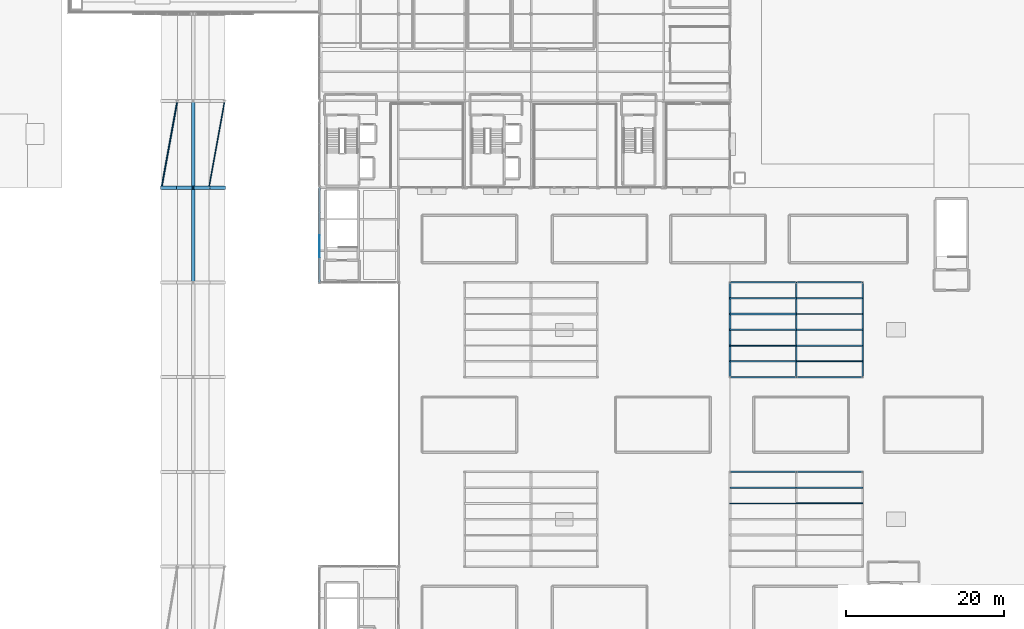
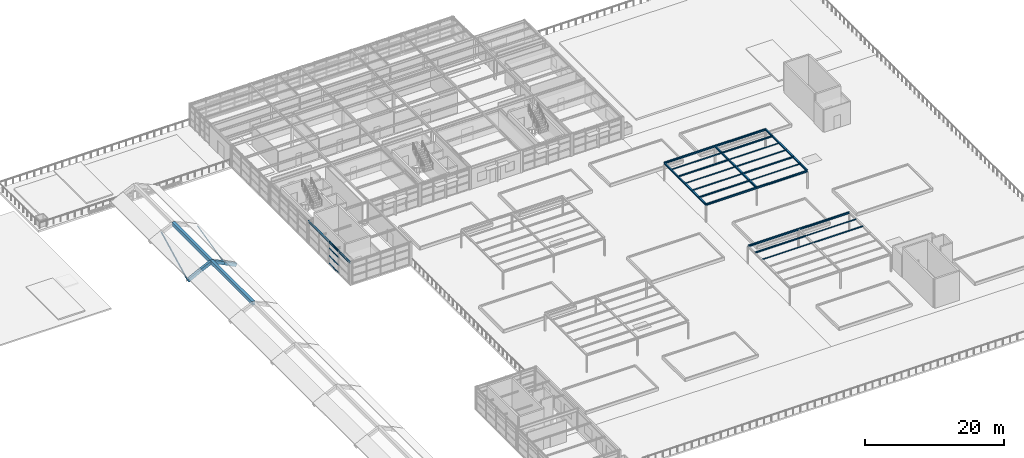
# One storey, part 20 of 49: 20 members, 16 beams, 1 element without a shape of its own.
"""IFC4 building model written with IfcOpenShell, lengths in metres."""

from ifc_helpers import new_model, si_unit, direction, frame, origin, origin_2d, place, context, subcontext, project, spatial, rectangle, hollow_rectangle, hollow_circle, i_section, extrude, material, layer, layer_set, material_profile, profile_set, type_object, element, aggregate, save


model = new_model("IFC4")

# Units and contexts
model_context = context("Model", 3, precision=1e-05, world=origin(), true_north=direction((0.0, 1.0)))
body_context = subcontext(model_context, "Body", "Model", "MODEL_VIEW")
ifc_project = project(units=[si_unit("LENGTHUNIT", "METRE"), si_unit("AREAUNIT", "SQUARE_METRE"), si_unit("VOLUMEUNIT", "CUBIC_METRE"), si_unit("PLANEANGLEUNIT", "RADIAN"), si_unit("MASSUNIT", "GRAM", prefix="KILO")], contexts=[model_context])

# Site, building, storey
site_placement = place(None, origin())
site = spatial("IfcSite", under=ifc_project, at=site_placement, CompositionType="ELEMENT")
building_placement = place(site_placement, origin())
building = spatial("IfcBuilding", under=site, at=building_placement, Name="Sitalva Quay Ferry Terminal", CompositionType="ELEMENT")
storey_placement = place(building_placement, frame((0.0, 0.0, 10.199951171875)))
storey = spatial("IfcBuildingStorey", under=building, at=storey_placement, Name="L03", CompositionType="ELEMENT", Elevation=10.199951171875)

# Beams
ifc_material_1 = material(Name="Concrete C40/50", Category="concrete")
ifc_material_profile_1 = material_profile(ifc_material_1, rectangle(XDim=0.39990234375, YDim=0.550048828125, at=origin_2d()), Name="RC400x550")
ifc_profile_set_1 = profile_set([ifc_material_profile_1], Name="Concrete C40/50")
beam_type_1 = type_object("IfcBeamType", Name="Beam_Arch_RC400x550", PredefinedType="BEAM", material=ifc_profile_set_1)
beam_1_placement = place(storey_placement, frame((54.0, 78.0, 0.395263671875), z_axis=(0.88942149916, 0.0, 0.457087953059), x_axis=(0.0, 1.0, 0.0)))
element("IfcBeam", 1, at=beam_1_placement, inside=storey, type_object=beam_type_1, Name="Vault V1 transverse arch rib 7.7", PredefinedType="BEAM", context=body_context, shape_type="SweptSolid", body=[
    extrude(rectangle(XDim=0.39990234375, YDim=0.550048828125, at=origin_2d()), origin(), (0.0, 0.0, 1.0), 2.24853515625),
])
for number, where, z_axis, x_axis, name in (
    (2, (56.0, 78.0, 1.4267578125), (0.908124785196, 0.0, 0.418699623253), (0.0, 1.0, 0.0), "Vault V1 transverse arch rib 7.8"),
    (3, (58.0, 78.0, 2.348876953125), (0.908124785196, 0.0, -0.418699623253), (0.0, 1.0, 0.0), "Vault V1 transverse arch rib 7.9"),
):
    element("IfcBeam", number, at=place(storey_placement, frame(where, z_axis=z_axis, x_axis=x_axis)), inside=storey, type_object=beam_type_1, Name=name, PredefinedType="BEAM", context=body_context, shape_type="SweptSolid", body=[
        extrude(rectangle(XDim=0.39990234375, YDim=0.550048828125, at=origin_2d()), origin(), (0.0, 0.0, 1.0), 2.202392578125),
    ])
beam_2_placement = place(storey_placement, frame((60.0, 78.0, 1.423095703125), z_axis=(0.88942149916, 0.0, -0.457087953059), x_axis=(0.0, 1.0, 0.0)))
element("IfcBeam", 4, at=beam_2_placement, inside=storey, type_object=beam_type_1, Name="Vault V1 transverse arch rib 7.10", PredefinedType="BEAM", context=body_context, shape_type="SweptSolid", body=[
    extrude(rectangle(XDim=0.39990234375, YDim=0.550048828125, at=origin_2d()), origin(), (0.0, 0.0, 1.0), 2.24853515625),
])
ifc_material_2 = material(Name="Concrete C40/50", Category="concrete")
ifc_material_profile_2 = material_profile(ifc_material_2, rectangle(XDim=0.449951171875, YDim=0.64990234375, at=origin_2d()), Name="RC450x650")
ifc_profile_set_2 = profile_set([ifc_material_profile_2], Name="Concrete C40/50")
beam_type_2 = type_object("IfcBeamType", Name="Beam_Ridge_RC450x650", PredefinedType="BEAM", material=ifc_profile_set_2)
beam_3_placement = place(storey_placement, frame((58.0, 66.0, 2.31494140625), z_axis=(0.0, 1.0, 0.0), x_axis=(-1.0, 0.0, 0.0)))
element("IfcBeam", 5, at=beam_3_placement, inside=storey, type_object=beam_type_2, Name="Vault V1 pointed ridge beam bay 6", PredefinedType="BEAM", context=body_context, shape_type="SweptSolid", body=[
    extrude(rectangle(XDim=0.449951171875, YDim=0.64990234375, at=origin_2d()), origin(), (0.0, 0.0, 1.0), 12.0),
])
beam_4_placement = place(storey_placement, frame((58.0, 78.0, 2.31494140625), z_axis=(0.0, 1.0, 0.0), x_axis=(-1.0, 0.0, 0.0)))
element("IfcBeam", 6, at=beam_4_placement, inside=storey, type_object=beam_type_2, Name="Vault V1 pointed ridge beam bay 7", PredefinedType="BEAM", context=body_context, shape_type="SweptSolid", body=[
    extrude(rectangle(XDim=0.449951171875, YDim=0.64990234375, at=origin_2d()), origin(), (0.0, 0.0, 1.0), 11.0),
])
ifc_material_3 = material(Name="Structural Steel S355JR", Category="steel")
ifc_material_profile_3 = material_profile(ifc_material_3, i_section(OverallWidth=0.202880859375, OverallDepth=0.302978515625, WebThickness=0.007568359375, FlangeThickness=0.01318359375, FilletRadius=0.011962890625, at=origin_2d()), Name="W310x60")
ifc_profile_set_3 = profile_set([ifc_material_profile_3], Name="Structural Steel S355JR")
beam_type_3 = type_object("IfcBeamType", Name="Beam_W310x60", PredefinedType="BEAM", material=ifc_profile_set_3)
beam_5_placement = place(storey_placement, frame((74.0, 66.0, 3.80859375), z_axis=(0.0, 1.0, 0.0), x_axis=(-1.0, 0.0, 0.0)))
element("IfcBeam", 7, at=beam_5_placement, inside=storey, type_object=beam_type_3, Name="L03 Primary Y girder 1198", PredefinedType="BEAM", context=body_context, shape_type="SweptSolid", body=[
    extrude(i_section(OverallWidth=0.202880859375, OverallDepth=0.302978515625, WebThickness=0.007568359375, FlangeThickness=0.01318359375, FilletRadius=0.011962890625, at=origin_2d()), origin(), (0.0, 0.0, 1.0), 12.0),
])
beam_6_placement = place(storey_placement, frame((126.0, 42.0, 3.048583984375), z_axis=(1.0, 0.0, 0.0), x_axis=(0.0, 1.0, 0.0)))
element("IfcBeam", 8, at=beam_6_placement, inside=storey, type_object=beam_type_3, Name="L03 Primary X girder 1313", PredefinedType="BEAM", context=body_context, shape_type="SweptSolid", body=[
    extrude(i_section(OverallWidth=0.202880859375, OverallDepth=0.302978515625, WebThickness=0.007568359375, FlangeThickness=0.01318359375, FilletRadius=0.011962890625, at=origin_2d()), origin(), (0.0, 0.0, 1.0), 8.39990234375),
])
beam_7_placement = place(storey_placement, frame((134.39990234375, 42.0, 3.048583984375), z_axis=(1.0, 0.0, 0.0), x_axis=(0.0, 1.0, 0.0)))
element("IfcBeam", 9, at=beam_7_placement, inside=storey, type_object=beam_type_3, Name="L03 Primary X girder 1314", PredefinedType="BEAM", context=body_context, shape_type="SweptSolid", body=[
    extrude(i_section(OverallWidth=0.202880859375, OverallDepth=0.302978515625, WebThickness=0.007568359375, FlangeThickness=0.01318359375, FilletRadius=0.011962890625, at=origin_2d()), origin(), (0.0, 0.0, 1.0), 8.400146484375),
])
beam_8_placement = place(storey_placement, frame((126.0, 54.0, 3.048583984375), z_axis=(1.0, 0.0, 0.0), x_axis=(0.0, 1.0, 0.0)))
element("IfcBeam", 10, at=beam_8_placement, inside=storey, type_object=beam_type_3, Name="L03 Primary X girder 1318", PredefinedType="BEAM", context=body_context, shape_type="SweptSolid", body=[
    extrude(i_section(OverallWidth=0.202880859375, OverallDepth=0.302978515625, WebThickness=0.007568359375, FlangeThickness=0.01318359375, FilletRadius=0.011962890625, at=origin_2d()), origin(), (0.0, 0.0, 1.0), 8.39990234375),
])
beam_9_placement = place(storey_placement, frame((134.39990234375, 54.0, 3.048583984375), z_axis=(1.0, 0.0, 0.0), x_axis=(0.0, 1.0, 0.0)))
element("IfcBeam", 11, at=beam_9_placement, inside=storey, type_object=beam_type_3, Name="L03 Primary X girder 1319", PredefinedType="BEAM", context=body_context, shape_type="SweptSolid", body=[
    extrude(i_section(OverallWidth=0.202880859375, OverallDepth=0.302978515625, WebThickness=0.007568359375, FlangeThickness=0.01318359375, FilletRadius=0.011962890625, at=origin_2d()), origin(), (0.0, 0.0, 1.0), 8.400146484375),
])
beam_10_placement = place(storey_placement, frame((126.0, 66.0, 3.048583984375), z_axis=(1.0, 0.0, 0.0), x_axis=(0.0, 1.0, 0.0)))
element("IfcBeam", 12, at=beam_10_placement, inside=storey, type_object=beam_type_3, Name="L03 Primary X girder 1320", PredefinedType="BEAM", context=body_context, shape_type="SweptSolid", body=[
    extrude(i_section(OverallWidth=0.202880859375, OverallDepth=0.302978515625, WebThickness=0.007568359375, FlangeThickness=0.01318359375, FilletRadius=0.011962890625, at=origin_2d()), origin(), (0.0, 0.0, 1.0), 8.39990234375),
])
beam_11_placement = place(storey_placement, frame((134.39990234375, 66.0, 3.048583984375), z_axis=(1.0, 0.0, 0.0), x_axis=(0.0, 1.0, 0.0)))
element("IfcBeam", 13, at=beam_11_placement, inside=storey, type_object=beam_type_3, Name="L03 Primary X girder 1321", PredefinedType="BEAM", context=body_context, shape_type="SweptSolid", body=[
    extrude(i_section(OverallWidth=0.202880859375, OverallDepth=0.302978515625, WebThickness=0.007568359375, FlangeThickness=0.01318359375, FilletRadius=0.011962890625, at=origin_2d()), origin(), (0.0, 0.0, 1.0), 8.400146484375),
])
for number, where, z_axis, x_axis, name in (
    (14, (126.0, 54.0, 3.048583984375), (0.0, 1.0, 0.0), (-1.0, 0.0, 0.0), "L03 Primary Y girder 1322"),
    (15, (134.39990234375, 54.0, 3.048583984375), (0.0, 1.0, 0.0), (-1.0, 0.0, 0.0), "L03 Primary Y girder 1323"),
    (16, (142.800048828125, 54.0, 3.048583984375), (0.0, 1.0, 0.0), (-1.0, 0.0, 0.0), "L03 Primary Y girder 1324"),
):
    element("IfcBeam", number, at=place(storey_placement, frame(where, z_axis=z_axis, x_axis=x_axis)), inside=storey, type_object=beam_type_3, Name=name, PredefinedType="BEAM", context=body_context, shape_type="SweptSolid", body=[
        extrude(i_section(OverallWidth=0.202880859375, OverallDepth=0.302978515625, WebThickness=0.007568359375, FlangeThickness=0.01318359375, FilletRadius=0.011962890625, at=origin_2d()), origin(), (0.0, 0.0, 1.0), 12.0),
    ])

# Members
ifc_material_4 = material(Name="Structural Steel S355JR", Category="steel")
ifc_material_profile_4 = material_profile(ifc_material_4, hollow_circle(Radius=0.084228515625, WallThickness=0.008056640625, at=origin_2d()), Name="CHS168x8")
ifc_profile_set_4 = profile_set([ifc_material_profile_4], Name="Structural Steel S355JR")
member_type_1 = type_object("IfcMemberType", Name="Brace_CHS168x8", PredefinedType="BRACE", material=ifc_profile_set_4)
member_1_placement = place(storey_placement, frame((60.0, 78.0, 1.528076171875), z_axis=(0.178133915604, 0.979736535822, -0.091567617018), x_axis=(-0.9838699101, 0.1788854382, 0.0)))
element("IfcMember", 17, at=member_1_placement, inside=storey, type_object=member_type_1, Name="Vault V1 shell wind brace B7.9", PredefinedType="BRACE", context=body_context, shape_type="SweptSolid", body=[
    extrude(hollow_circle(Radius=0.084228515625, WallThickness=0.008056640625, at=origin_2d()), origin(), (0.0, 0.0, 1.0), 11.2275390625),
])
ifc_material_5 = material(Name="Structural Steel S355JR", Category="steel")
ifc_material_profile_5 = material_profile(ifc_material_5, hollow_circle(Radius=0.109619140625, WallThickness=0.010009765625, at=origin_2d()), Name="CHS219x10")
ifc_profile_set_5 = profile_set([ifc_material_profile_5], Name="Structural Steel S355JR")
member_type_2 = type_object("IfcMemberType", Name="Brace_CHS219x10", PredefinedType="BRACE", material=ifc_profile_set_5)
member_2_placement = place(storey_placement, frame((54.0, 78.0, 0.5), z_axis=(0.178133915604, 0.979736535822, 0.091567617018), x_axis=(-0.9838699101, 0.1788854382, 0.0)))
element("IfcMember", 18, at=member_2_placement, inside=storey, type_object=member_type_2, Name="Vault V1 shell wind brace B7.6", PredefinedType="BRACE", context=body_context, shape_type="SweptSolid", body=[
    extrude(hollow_circle(Radius=0.109619140625, WallThickness=0.010009765625, at=origin_2d()), origin(), (0.0, 0.0, 1.0), 11.2275390625),
])
ifc_material_6 = material(Name="Structural Steel S355JR", Category="steel")
ifc_material_profile_6 = material_profile(ifc_material_6, hollow_rectangle(XDim=0.10009765625, YDim=0.179931640625, WallThickness=0.008056640625, InnerFilletRadius=0.008056640625, OuterFilletRadius=0.01611328125, at=origin_2d()), Name="RHS180x100x8")
ifc_profile_set_6 = profile_set([ifc_material_profile_6], Name="Structural Steel S355JR")
member_type_3 = type_object("IfcMemberType", Name="Purlin_RHS180x100", PredefinedType="PURLIN", material=ifc_profile_set_6)
member_3_placement = place(storey_placement, frame((126.0, 38.0, 3.110107421875), z_axis=(1.0, 0.0, 0.0), x_axis=(0.0, 1.0, 0.0)))
element("IfcMember", 19, at=member_3_placement, inside=storey, type_object=member_type_3, Name="Roof garden shade pergola trellis 024", PredefinedType="PURLIN", context=body_context, shape_type="SweptSolid", body=[
    extrude(hollow_rectangle(XDim=0.10009765625, YDim=0.179931640625, WallThickness=0.008056640625, InnerFilletRadius=0.008056640625, OuterFilletRadius=0.01611328125, at=origin_2d()), origin(), (0.0, 0.0, 1.0), 8.39990234375),
])
member_4_placement = place(storey_placement, frame((134.39990234375, 40.0, 3.110107421875), z_axis=(1.0, 0.0, 0.0), x_axis=(0.0, 1.0, 0.0)))
element("IfcMember", 20, at=member_4_placement, inside=storey, type_object=member_type_3, Name="Roof garden shade pergola trellis 030", PredefinedType="PURLIN", context=body_context, shape_type="SweptSolid", body=[
    extrude(hollow_rectangle(XDim=0.10009765625, YDim=0.179931640625, WallThickness=0.008056640625, InnerFilletRadius=0.008056640625, OuterFilletRadius=0.01611328125, at=origin_2d()), origin(), (0.0, 0.0, 1.0), 8.400146484375),
])
member_5_placement = place(storey_placement, frame((126.0, 60.0, 3.110107421875), z_axis=(1.0, 0.0, 0.0), x_axis=(0.0, 1.0, 0.0)))
element("IfcMember", 21, at=member_5_placement, inside=storey, type_object=member_type_3, Name="Roof garden shade pergola trellis 033", PredefinedType="PURLIN", context=body_context, shape_type="SweptSolid", body=[
    extrude(hollow_rectangle(XDim=0.10009765625, YDim=0.179931640625, WallThickness=0.008056640625, InnerFilletRadius=0.008056640625, OuterFilletRadius=0.01611328125, at=origin_2d()), origin(), (0.0, 0.0, 1.0), 8.39990234375),
])
for number, where, z_axis, x_axis, name in (
    (22, (134.39990234375, 56.0, 3.110107421875), (1.0, 0.0, 0.0), (0.0, 1.0, 0.0), "Roof garden shade pergola trellis 036"),
    (23, (134.39990234375, 62.0, 3.110107421875), (1.0, 0.0, 0.0), (0.0, 1.0, 0.0), "Roof garden shade pergola trellis 039"),
):
    element("IfcMember", number, at=place(storey_placement, frame(where, z_axis=z_axis, x_axis=x_axis)), inside=storey, type_object=member_type_3, Name=name, PredefinedType="PURLIN", context=body_context, shape_type="SweptSolid", body=[
        extrude(hollow_rectangle(XDim=0.10009765625, YDim=0.179931640625, WallThickness=0.008056640625, InnerFilletRadius=0.008056640625, OuterFilletRadius=0.01611328125, at=origin_2d()), origin(), (0.0, 0.0, 1.0), 8.400146484375),
    ])
ifc_material_7 = material(Name="Structural Steel S355JR", Category="steel")
ifc_material_profile_7 = material_profile(ifc_material_7, hollow_rectangle(XDim=0.1201171875, YDim=0.199951171875, WallThickness=0.008056640625, InnerFilletRadius=0.008056640625, OuterFilletRadius=0.01611328125, at=origin_2d()), Name="RHS200x120x8")
ifc_profile_set_7 = profile_set([ifc_material_profile_7], Name="Structural Steel S355JR")
member_type_4 = type_object("IfcMemberType", Name="Purlin_RHS200x120", PredefinedType="PURLIN", material=ifc_profile_set_7)
member_6_placement = place(storey_placement, frame((134.39990234375, 38.0, 3.10009765625), z_axis=(1.0, 0.0, 0.0), x_axis=(0.0, 1.0, 0.0)))
element("IfcMember", 24, at=member_6_placement, inside=storey, type_object=member_type_4, Name="Roof garden shade pergola trellis 029", PredefinedType="PURLIN", context=body_context, shape_type="SweptSolid", body=[
    extrude(hollow_rectangle(XDim=0.1201171875, YDim=0.199951171875, WallThickness=0.008056640625, InnerFilletRadius=0.008056640625, OuterFilletRadius=0.01611328125, at=origin_2d()), origin(), (0.0, 0.0, 1.0), 8.400146484375),
])
for number, where, z_axis, x_axis, name in (
    (25, (126.0, 58.0, 3.10009765625), (1.0, 0.0, 0.0), (0.0, 1.0, 0.0), "Roof garden shade pergola trellis 032"),
    (26, (126.0, 64.0, 3.10009765625), (1.0, 0.0, 0.0), (0.0, 1.0, 0.0), "Roof garden shade pergola trellis 035"),
):
    element("IfcMember", number, at=place(storey_placement, frame(where, z_axis=z_axis, x_axis=x_axis)), inside=storey, type_object=member_type_4, Name=name, PredefinedType="PURLIN", context=body_context, shape_type="SweptSolid", body=[
        extrude(hollow_rectangle(XDim=0.1201171875, YDim=0.199951171875, WallThickness=0.008056640625, InnerFilletRadius=0.008056640625, OuterFilletRadius=0.01611328125, at=origin_2d()), origin(), (0.0, 0.0, 1.0), 8.39990234375),
    ])
member_7_placement = place(storey_placement, frame((134.39990234375, 60.0, 3.10009765625), z_axis=(1.0, 0.0, 0.0), x_axis=(0.0, 1.0, 0.0)))
element("IfcMember", 27, at=member_7_placement, inside=storey, type_object=member_type_4, Name="Roof garden shade pergola trellis 038", PredefinedType="PURLIN", context=body_context, shape_type="SweptSolid", body=[
    extrude(hollow_rectangle(XDim=0.1201171875, YDim=0.199951171875, WallThickness=0.008056640625, InnerFilletRadius=0.008056640625, OuterFilletRadius=0.01611328125, at=origin_2d()), origin(), (0.0, 0.0, 1.0), 8.400146484375),
])
ifc_material_8 = material(Name="Structural Steel S355JR", Category="steel")
ifc_material_profile_8 = material_profile(ifc_material_8, i_section(OverallWidth=0.202880859375, OverallDepth=0.202880859375, WebThickness=0.007080078125, FlangeThickness=0.010986328125, FilletRadius=0.010009765625, at=origin_2d()), Name="W200x46")
ifc_profile_set_8 = profile_set([ifc_material_profile_8], Name="Structural Steel S355JR")
member_type_5 = type_object("IfcMemberType", Name="Purlin_W200x46", PredefinedType="PURLIN", material=ifc_profile_set_8)
for number, where, z_axis, x_axis, name in (
    (28, (126.0, 40.0, 3.0986328125), (1.0, 0.0, 0.0), (0.0, 1.0, 0.0), "Roof garden shade pergola trellis 025"),
    (29, (126.0, 56.0, 3.0986328125), (1.0, 0.0, 0.0), (0.0, 1.0, 0.0), "Roof garden shade pergola trellis 031"),
    (30, (126.0, 62.0, 3.0986328125), (1.0, 0.0, 0.0), (0.0, 1.0, 0.0), "Roof garden shade pergola trellis 034"),
):
    element("IfcMember", number, at=place(storey_placement, frame(where, z_axis=z_axis, x_axis=x_axis)), inside=storey, type_object=member_type_5, Name=name, PredefinedType="PURLIN", context=body_context, shape_type="SweptSolid", body=[
        extrude(i_section(OverallWidth=0.202880859375, OverallDepth=0.202880859375, WebThickness=0.007080078125, FlangeThickness=0.010986328125, FilletRadius=0.010009765625, at=origin_2d()), origin(), (0.0, 0.0, 1.0), 8.39990234375),
    ])
for number, where, z_axis, x_axis, name in (
    (31, (134.39990234375, 58.0, 3.0986328125), (1.0, 0.0, 0.0), (0.0, 1.0, 0.0), "Roof garden shade pergola trellis 037"),
    (32, (134.39990234375, 64.0, 3.0986328125), (1.0, 0.0, 0.0), (0.0, 1.0, 0.0), "Roof garden shade pergola trellis 040"),
):
    element("IfcMember", number, at=place(storey_placement, frame(where, z_axis=z_axis, x_axis=x_axis)), inside=storey, type_object=member_type_5, Name=name, PredefinedType="PURLIN", context=body_context, shape_type="SweptSolid", body=[
        extrude(i_section(OverallWidth=0.202880859375, OverallDepth=0.202880859375, WebThickness=0.007080078125, FlangeThickness=0.010986328125, FilletRadius=0.010009765625, at=origin_2d()), origin(), (0.0, 0.0, 1.0), 8.400146484375),
    ])

# Curtain wall, members
ifc_material_9 = material(Name="Anodised Aluminium & Low-E Glazing", Category="aluminium")
ifc_layer = layer(ifc_material_9, 0.159912109375)
ifc_layer_set = layer_set([ifc_layer], Name="Anodised Aluminium & Low-E Glazing")
curtain_wall_type = type_object("IfcCurtainWallType", Name="CW_Office_Unitised", PredefinedType="USERDEFINED", material=ifc_layer_set)
curtain_wall_placement = place(storey_placement, origin())
curtain_wall = element("IfcCurtainWall", 33, at=curtain_wall_placement, inside=storey, type_object=curtain_wall_type, Name="L03 north spine west glazing (CW-L03-091)", ObjectType="CURTAIN_WALL", PredefinedType="USERDEFINED")
ifc_material_10 = material(Name="Anodised Aluminium 6063-T6", Category="aluminium")
ifc_material_profile_9 = material_profile(ifc_material_10, rectangle(XDim=0.074951171875, YDim=0.14990234375, at=origin_2d()), Name="ALU75x150")
ifc_profile_set_9 = profile_set([ifc_material_profile_9], Name="Anodised Aluminium 6063-T6")
member_type_6 = type_object("IfcMemberType", Name="Transom_Alu_75x140", PredefinedType="MULLION", material=ifc_profile_set_9)
member_8_placement = place(storey_placement, frame((74.0, 69.1875, 0.074951171875), z_axis=(0.0, 1.0, 0.0), x_axis=(-1.0, 0.0, 0.0)))
member_8 = element("IfcMember", 34, at=member_8_placement, type_object=member_type_6, Name="CW-L03-091-T1-0", ObjectType="TRANSOM", PredefinedType="USERDEFINED", context=body_context, shape_type="SweptSolid", body=[
    extrude(rectangle(XDim=0.074951171875, YDim=0.14990234375, at=origin_2d()), origin(), (0.0, 0.0, 1.0), 2.77490234375),
])
member_9_placement = place(storey_placement, frame((74.0, 69.1875, 1.39501953125), z_axis=(0.0, 1.0, 0.0), x_axis=(-1.0, 0.0, 0.0)))
member_9 = element("IfcMember", 35, at=member_9_placement, type_object=member_type_6, Name="CW-L03-091-T1-1", ObjectType="TRANSOM", PredefinedType="USERDEFINED", context=body_context, shape_type="SweptSolid", body=[
    extrude(rectangle(XDim=0.074951171875, YDim=0.14990234375, at=origin_2d()), origin(), (0.0, 0.0, 1.0), 2.77490234375),
])
member_10_placement = place(storey_placement, frame((74.0, 69.1875, 2.715087890625), z_axis=(0.0, 1.0, 0.0), x_axis=(-1.0, 0.0, 0.0)))
member_10 = element("IfcMember", 36, at=member_10_placement, type_object=member_type_6, Name="CW-L03-091-T1-2", ObjectType="TRANSOM", PredefinedType="USERDEFINED", context=body_context, shape_type="SweptSolid", body=[
    extrude(rectangle(XDim=0.074951171875, YDim=0.14990234375, at=origin_2d()), origin(), (0.0, 0.0, 1.0), 2.77490234375),
])
member_11_placement = place(storey_placement, frame((74.0, 69.1875, 3.885009765625), z_axis=(0.0, 1.0, 0.0), x_axis=(-1.0, 0.0, 0.0)))
member_11 = element("IfcMember", 37, at=member_11_placement, type_object=member_type_6, Name="CW-L03-091-T1-3", ObjectType="TRANSOM", PredefinedType="USERDEFINED", context=body_context, shape_type="SweptSolid", body=[
    extrude(rectangle(XDim=0.074951171875, YDim=0.14990234375, at=origin_2d()), origin(), (0.0, 0.0, 1.0), 2.77490234375),
])
aggregate(curtain_wall, [member_8, member_9, member_10, member_11])

save(model, "model.ifc")
